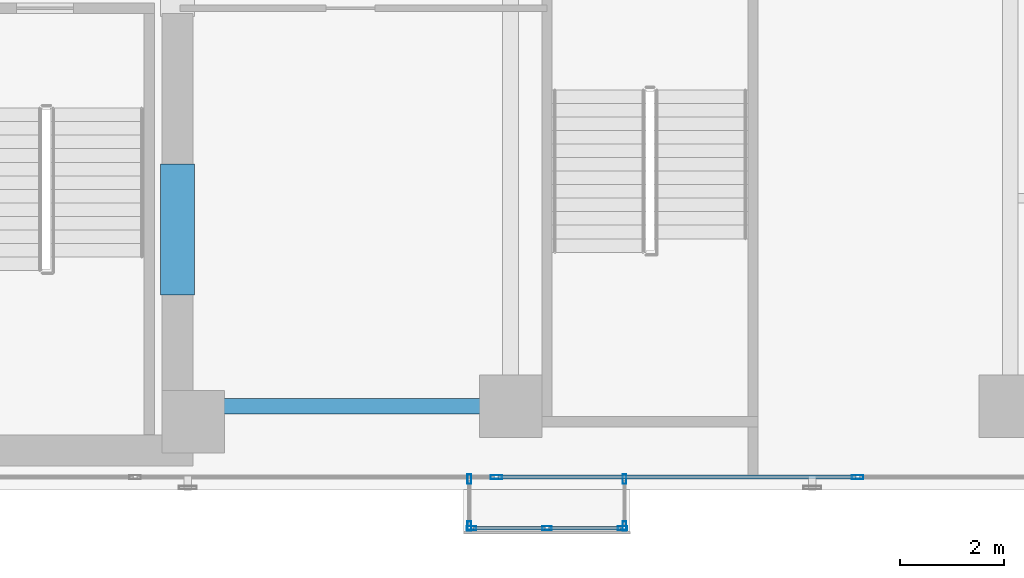
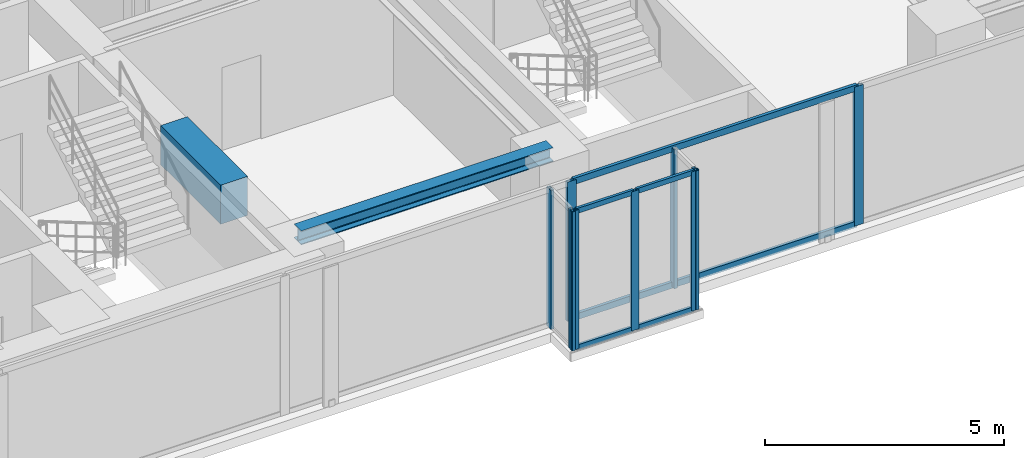
# One storey, part 4 of 24: 15 members, 2 beams, 4 elements without a shape of their own.
"""IFC4 building model written with IfcOpenShell, lengths in metres."""

from ifc_helpers import new_model, si_unit, direction, frame, origin, origin_with_axes, origin_2d, place, context, subcontext, project, spatial, rectangle, hollow_rectangle, i_section, extrude, source, transform, mapped, material, layer, layer_set, material_profile, profile_set, type_object, element, aggregate, save


model = new_model("IFC4")

# Units and contexts
model_context = context("Model", 3, precision=1e-05, world=origin(), true_north=direction((0.0, 1.0)))
body_context = subcontext(model_context, "Body", "Model", "MODEL_VIEW")
ifc_project = project(units=[si_unit("LENGTHUNIT", "METRE"), si_unit("AREAUNIT", "SQUARE_METRE"), si_unit("VOLUMEUNIT", "CUBIC_METRE"), si_unit("PLANEANGLEUNIT", "RADIAN"), si_unit("MASSUNIT", "GRAM", prefix="KILO")], contexts=[model_context])

# Site, building, storey
site_placement = place(None, origin())
site = spatial("IfcSite", under=ifc_project, at=site_placement, CompositionType="ELEMENT")
building_placement = place(site_placement, origin())
building = spatial("IfcBuilding", under=site, at=building_placement, Name="Kolvaren Waterfront Exchange", CompositionType="ELEMENT")
storey_placement = place(building_placement, frame((0.0, 0.0, 153.800048828125)))
storey = spatial("IfcBuildingStorey", under=building, at=storey_placement, Name="L39", CompositionType="ELEMENT", Elevation=153.800048828125)

# Beams
ifc_material_1 = material(Name="Steel S355", Category="steel")
ifc_material_profile_1 = material_profile(ifc_material_1, i_section(OverallWidth=0.300048828125, OverallDepth=0.360107421875, WebThickness=0.012451171875, FlangeThickness=0.0224609375, FilletRadius=0.027099609375, at=origin_2d()), Name="HEB360")
ifc_profile_set_1 = profile_set([ifc_material_profile_1], Name="Steel S355")
beam_type_1 = type_object("IfcBeamType", Name="STR-BM-HEB360", PredefinedType="SPANDREL", material=ifc_profile_set_1)
beam_1_placement = place(storey_placement, frame((21.10009765625, 5.199951171875, 3.3798828125), z_axis=(1.0, 0.0, 0.0), x_axis=(0.0, 1.0, 0.0)))
element("IfcBeam", 1, at=beam_1_placement, inside=storey, type_object=beam_type_1, Name="L39 east-arm spandrel S1", PredefinedType="SPANDREL", context=body_context, shape_type="SweptSolid", body=[
    extrude(i_section(OverallWidth=0.300048828125, OverallDepth=0.360107421875, WebThickness=0.012451171875, FlangeThickness=0.0224609375, FilletRadius=0.027099609375, at=origin_2d()), origin(), (0.0, 0.0, 1.0), 6.099853515625),
])
ifc_material_2 = material(Name="Concrete C60/75", Category="concrete")
ifc_material_profile_2 = material_profile(ifc_material_2, rectangle(XDim=0.64990234375, YDim=1.0, at=origin_2d()), Name="RC-CB-1000x650")
ifc_profile_set_2 = profile_set([ifc_material_profile_2], Name="Concrete C60/75")
beam_type_2 = type_object("IfcBeamType", Name="STR-CB-1000", PredefinedType="SPANDREL", material=ifc_profile_set_2)
beam_2_placement = place(storey_placement, frame((20.800048828125, 7.340087890625, 3.06005859375), z_axis=(0.0, 1.0, 0.0), x_axis=(-1.0, 0.0, 0.0)))
element("IfcBeam", 2, at=beam_2_placement, inside=storey, type_object=beam_type_2, Name="L39 core coupling beam 1", PredefinedType="SPANDREL", context=body_context, shape_type="SweptSolid", body=[
    extrude(rectangle(XDim=0.64990234375, YDim=1.0, at=origin_2d()), origin(), (0.0, 0.0, 1.0), 2.52001953125),
])

# Curtain wall, members
ifc_material_3 = material(Name="Anodised bronze aluminium 6063-T6", Category="aluminium")
ifc_layer_1 = layer(ifc_material_3, 0.219970703125, Name="Anodised bronze aluminium 6063-T6")
ifc_layer_set_1 = layer_set([ifc_layer_1], Name="Anodised bronze aluminium 6063-T6")
curtain_wall_type_1 = type_object("IfcCurtainWallType", Name="ARC-CW-SYS3", PredefinedType="USERDEFINED", material=ifc_layer_set_1)
curtain_wall_1_placement = place(storey_placement, origin())
curtain_wall_1 = element("IfcCurtainWall", 3, at=curtain_wall_1_placement, inside=storey, type_object=curtain_wall_type_1, Name="L39 stick curtain wall CW3 (CW-L39-BOX)", ObjectType="STICK CURTAIN WALL", PredefinedType="USERDEFINED")
ifc_material_profile_3 = material_profile(ifc_material_3, hollow_rectangle(XDim=0.06494140625, YDim=0.1298828125, WallThickness=0.00390625, at=origin_2d()), Name="ALU-TRN-130x65x4")
ifc_profile_set_3 = profile_set([ifc_material_profile_3], Name="Anodised bronze aluminium 6063-T6")
member_type_1 = type_object("IfcMemberType", Name="ARC-CWT-130", PredefinedType="USERDEFINED", material=ifc_profile_set_3)
shared_shape_1 = source(origin_with_axes(), body_context, "Body", "SweptSolid", [
    extrude(hollow_rectangle(XDim=0.06494140625, YDim=0.1298828125, WallThickness=0.00390625, at=origin_2d()), origin(), (0.0, 0.0, 1.0), 1.37744140625),
])
member_1_placement = place(storey_placement, frame((26.485107421875, 2.860107421875, 0.032470703125), z_axis=(1.0, 0.0, 0.0), x_axis=(0.0, 1.0, 0.0)))
member_1 = element("IfcMember", 4, at=member_1_placement, type_object=member_type_1, Name="CW3 transom 1.1", ObjectType="TRANSOM", PredefinedType="USERDEFINED", context=body_context, shape_type="MappedRepresentation", body=[
    mapped(shared_shape_1, transform((0.0, 0.0, 0.0), x_axis=(1.0, 0.0, 0.0), y_axis=(0.0, 1.0, 0.0), z_axis=(0.0, 0.0, 1.0), scale=1.0)),
])
member_2_placement = place(storey_placement, frame((26.485107421875, 2.860107421875, 3.52734375), z_axis=(1.0, 0.0, 0.0), x_axis=(0.0, 1.0, 0.0)))
member_2 = element("IfcMember", 5, at=member_2_placement, type_object=member_type_1, Name="CW3 transom 1.2", ObjectType="TRANSOM", PredefinedType="USERDEFINED", context=body_context, shape_type="MappedRepresentation", body=[
    mapped(shared_shape_1, transform((0.0, 0.0, 0.0), x_axis=(1.0, 0.0, 0.0), y_axis=(0.0, 1.0, 0.0), z_axis=(0.0, 0.0, 1.0), scale=1.0)),
])
member_3_placement = place(storey_placement, frame((27.9375, 2.860107421875, 0.032470703125), z_axis=(1.0, 0.0, 0.0), x_axis=(0.0, 1.0, 0.0)))
member_3 = element("IfcMember", 6, at=member_3_placement, type_object=member_type_1, Name="CW3 transom 2.1", ObjectType="TRANSOM", PredefinedType="USERDEFINED", context=body_context, shape_type="MappedRepresentation", body=[
    mapped(shared_shape_1, transform((0.0, 0.0, 0.0), x_axis=(1.0, 0.0, 0.0), y_axis=(0.0, 1.0, 0.0), z_axis=(0.0, 0.0, 1.0), scale=1.0)),
])
member_4_placement = place(storey_placement, frame((27.9375, 2.860107421875, 3.52734375), z_axis=(1.0, 0.0, 0.0), x_axis=(0.0, 1.0, 0.0)))
member_4 = element("IfcMember", 7, at=member_4_placement, type_object=member_type_1, Name="CW3 transom 2.2", ObjectType="TRANSOM", PredefinedType="USERDEFINED", context=body_context, shape_type="MappedRepresentation", body=[
    mapped(shared_shape_1, transform((0.0, 0.0, 0.0), x_axis=(1.0, 0.0, 0.0), y_axis=(0.0, 1.0, 0.0), z_axis=(0.0, 0.0, 1.0), scale=1.0)),
])

curtain_wall_2_placement = place(storey_placement, origin())
curtain_wall_2 = element("IfcCurtainWall", 8, at=curtain_wall_2_placement, inside=storey, type_object=curtain_wall_type_1, Name="L39 stick curtain wall CW3 (CW-L39-BOX-W)", ObjectType="STICK CURTAIN WALL", PredefinedType="USERDEFINED")
ifc_material_profile_4 = material_profile(ifc_material_3, hollow_rectangle(XDim=0.074951171875, YDim=0.179931640625, WallThickness=0.00439453125, at=origin_2d()), Name="ALU-MUL-180x75x4.5")
ifc_profile_set_4 = profile_set([ifc_material_profile_4], Name="Anodised bronze aluminium 6063-T6")
member_type_2 = type_object("IfcMemberType", Name="ARC-CWM-180", PredefinedType="MULLION", material=ifc_profile_set_4)
shared_shape_2 = source(origin_with_axes(), body_context, "Body", "SweptSolid", [
    extrude(hollow_rectangle(XDim=0.074951171875, YDim=0.179931640625, WallThickness=0.00439453125, at=origin_2d()), origin(), (0.0, 0.0, 1.0), 3.56005859375),
])
member_5_placement = place(storey_placement, frame((26.409912109375, 3.802490234375, 0.0), z_axis=(0.0, 0.0, 1.0), x_axis=(1.0, 0.0, 0.0)))
member_5 = element("IfcMember", 9, at=member_5_placement, type_object=member_type_2, Name="CW3 mullion 1", PredefinedType="MULLION", context=body_context, shape_type="MappedRepresentation", body=[
    mapped(shared_shape_2, transform((0.0, 0.0, 0.0), x_axis=(1.0, 0.0, 0.0), y_axis=(0.0, 1.0, 0.0), z_axis=(0.0, 0.0, 1.0), scale=1.0)),
])
member_6_placement = place(storey_placement, frame((26.409912109375, 2.8974609375, 0.0), z_axis=(0.0, 0.0, 1.0), x_axis=(1.0, 0.0, 0.0)))
member_6 = element("IfcMember", 10, at=member_6_placement, type_object=member_type_2, Name="CW3 mullion 2", PredefinedType="MULLION", context=body_context, shape_type="MappedRepresentation", body=[
    mapped(shared_shape_2, transform((0.0, 0.0, 0.0), x_axis=(1.0, 0.0, 0.0), y_axis=(0.0, 1.0, 0.0), z_axis=(0.0, 0.0, 1.0), scale=1.0)),
])
aggregate(curtain_wall_2, [member_5, member_6])

# Member
member_7_placement = place(storey_placement, frame((26.447509765625, 2.860107421875, 0.0), z_axis=(0.0, 0.0, 1.0), x_axis=(0.0, 1.0, 0.0)))
member_7 = element("IfcMember", 11, at=member_7_placement, type_object=member_type_2, Name="CW3 mullion 1", PredefinedType="MULLION", context=body_context, shape_type="MappedRepresentation", body=[
    mapped(shared_shape_2, transform((0.0, 0.0, 0.0), x_axis=(1.0, 0.0, 0.0), y_axis=(0.0, 1.0, 0.0), z_axis=(0.0, 0.0, 1.0), scale=1.0)),
])

member_8_placement = place(storey_placement, frame((27.89990234375, 2.860107421875, 0.0), z_axis=(0.0, 0.0, 1.0), x_axis=(0.0, 1.0, 0.0)))
member_8 = element("IfcMember", 12, at=member_8_placement, type_object=member_type_2, Name="CW3 mullion 2", PredefinedType="MULLION", context=body_context, shape_type="MappedRepresentation", body=[
    mapped(shared_shape_2, transform((0.0, 0.0, 0.0), x_axis=(1.0, 0.0, 0.0), y_axis=(0.0, 1.0, 0.0), z_axis=(0.0, 0.0, 1.0), scale=1.0)),
])

member_9_placement = place(storey_placement, frame((29.3525390625, 2.860107421875, 0.0), z_axis=(0.0, 0.0, 1.0), x_axis=(0.0, 1.0, 0.0)))
member_9 = element("IfcMember", 13, at=member_9_placement, type_object=member_type_2, Name="CW3 mullion 3", PredefinedType="MULLION", context=body_context, shape_type="MappedRepresentation", body=[
    mapped(shared_shape_2, transform((0.0, 0.0, 0.0), x_axis=(1.0, 0.0, 0.0), y_axis=(0.0, 1.0, 0.0), z_axis=(0.0, 0.0, 1.0), scale=1.0)),
])

aggregate(curtain_wall_1, [member_7, member_8, member_9, member_1, member_2, member_3, member_4])

# Curtain wall, members
curtain_wall_3_placement = place(storey_placement, origin())
curtain_wall_3 = element("IfcCurtainWall", 14, at=curtain_wall_3_placement, inside=storey, type_object=curtain_wall_type_1, Name="L39 stick curtain wall CW3 (CW-L39-BOX-E)", ObjectType="STICK CURTAIN WALL", PredefinedType="USERDEFINED")
member_10_placement = place(storey_placement, frame((29.389892578125, 2.8974609375, 0.0), z_axis=(0.0, 0.0, 1.0), x_axis=(-1.0, 0.0, 0.0)))
member_10 = element("IfcMember", 15, at=member_10_placement, type_object=member_type_2, Name="CW3 mullion 1", PredefinedType="MULLION", context=body_context, shape_type="MappedRepresentation", body=[
    mapped(shared_shape_2, transform((0.0, 0.0, 0.0), x_axis=(1.0, 0.0, 0.0), y_axis=(0.0, 1.0, 0.0), z_axis=(0.0, 0.0, 1.0), scale=1.0)),
])
member_11_placement = place(storey_placement, frame((29.389892578125, 3.802490234375, 0.0), z_axis=(0.0, 0.0, 1.0), x_axis=(-1.0, 0.0, 0.0)))
member_11 = element("IfcMember", 16, at=member_11_placement, type_object=member_type_2, Name="CW3 mullion 2", PredefinedType="MULLION", context=body_context, shape_type="MappedRepresentation", body=[
    mapped(shared_shape_2, transform((0.0, 0.0, 0.0), x_axis=(1.0, 0.0, 0.0), y_axis=(0.0, 1.0, 0.0), z_axis=(0.0, 0.0, 1.0), scale=1.0)),
])
aggregate(curtain_wall_3, [member_10, member_11])

ifc_layer_2 = layer(ifc_material_3, 0.219970703125, Name="Anodised bronze aluminium 6063-T6")
ifc_layer_set_2 = layer_set([ifc_layer_2], Name="Anodised bronze aluminium 6063-T6")
curtain_wall_type_2 = type_object("IfcCurtainWallType", Name="ARC-CW-SYS1", PredefinedType="USERDEFINED", material=ifc_layer_set_2)
curtain_wall_4_placement = place(storey_placement, origin())
curtain_wall_4 = element("IfcCurtainWall", 17, at=curtain_wall_4_placement, inside=storey, type_object=curtain_wall_type_2, Name="L39 stick curtain wall CW1 (CW-L39-S)", ObjectType="STICK CURTAIN WALL", PredefinedType="USERDEFINED")
ifc_material_4 = material(Name="Anodised aluminium 6063-T6", Category="aluminium")
ifc_material_profile_5 = material_profile(ifc_material_4, hollow_rectangle(XDim=0.080078125, YDim=0.219970703125, WallThickness=0.0048828125, at=origin_2d()), Name="ALU-MUL-220x80x5")
ifc_profile_set_5 = profile_set([ifc_material_profile_5], Name="Anodised aluminium 6063-T6")
member_type_3 = type_object("IfcMemberType", Name="ARC-CWM-220", PredefinedType="MULLION", material=ifc_profile_set_5)
shared_shape_3 = source(origin_with_axes(), body_context, "Body", "SweptSolid", [
    extrude(hollow_rectangle(XDim=0.080078125, YDim=0.219970703125, WallThickness=0.0048828125, at=origin_2d()), origin(), (0.0, 0.0, 1.0), 3.56005859375),
])
member_12_placement = place(storey_placement, frame((26.928466796875, 3.840087890625, 0.0), z_axis=(0.0, 0.0, 1.0), x_axis=(0.0, 1.0, 0.0)))
member_12 = element("IfcMember", 18, at=member_12_placement, type_object=member_type_3, Name="CW1 mullion 4", PredefinedType="MULLION", context=body_context, shape_type="MappedRepresentation", body=[
    mapped(shared_shape_3, transform((0.0, 0.0, 0.0), x_axis=(1.0, 0.0, 0.0), y_axis=(0.0, 1.0, 0.0), z_axis=(0.0, 0.0, 1.0), scale=1.0)),
])
member_13_placement = place(storey_placement, frame((33.871337890625, 3.840087890625, 0.0), z_axis=(0.0, 0.0, 1.0), x_axis=(0.0, 1.0, 0.0)))
member_13 = element("IfcMember", 19, at=member_13_placement, type_object=member_type_3, Name="CW1 mullion 5", PredefinedType="MULLION", context=body_context, shape_type="MappedRepresentation", body=[
    mapped(shared_shape_3, transform((0.0, 0.0, 0.0), x_axis=(1.0, 0.0, 0.0), y_axis=(0.0, 1.0, 0.0), z_axis=(0.0, 0.0, 1.0), scale=1.0)),
])
ifc_material_profile_6 = material_profile(ifc_material_4, hollow_rectangle(XDim=0.074951171875, YDim=0.159912109375, WallThickness=0.00439453125, at=origin_2d()), Name="ALU-TRN-160x75x4.5")
ifc_profile_set_6 = profile_set([ifc_material_profile_6], Name="Anodised aluminium 6063-T6")
member_type_4 = type_object("IfcMemberType", Name="ARC-CWT-160", PredefinedType="USERDEFINED", material=ifc_profile_set_6)
shared_shape_4 = source(origin_with_axes(), body_context, "Body", "SweptSolid", [
    extrude(hollow_rectangle(XDim=0.074951171875, YDim=0.159912109375, WallThickness=0.00439453125, at=origin_2d()), origin(), (0.0, 0.0, 1.0), 6.863037109375),
])
member_14_placement = place(storey_placement, frame((26.968505859375, 3.840087890625, 0.037353515625), z_axis=(1.0, 0.0, 0.0), x_axis=(0.0, 1.0, 0.0)))
member_14 = element("IfcMember", 20, at=member_14_placement, type_object=member_type_4, Name="CW1 transom 4.1", ObjectType="TRANSOM", PredefinedType="USERDEFINED", context=body_context, shape_type="MappedRepresentation", body=[
    mapped(shared_shape_4, transform((0.0, 0.0, 0.0), x_axis=(1.0, 0.0, 0.0), y_axis=(0.0, 1.0, 0.0), z_axis=(0.0, 0.0, 1.0), scale=1.0)),
])
member_15_placement = place(storey_placement, frame((26.968505859375, 3.840087890625, 3.5224609375), z_axis=(1.0, 0.0, 0.0), x_axis=(0.0, 1.0, 0.0)))
member_15 = element("IfcMember", 21, at=member_15_placement, type_object=member_type_4, Name="CW1 transom 4.2", ObjectType="TRANSOM", PredefinedType="USERDEFINED", context=body_context, shape_type="MappedRepresentation", body=[
    mapped(shared_shape_4, transform((0.0, 0.0, 0.0), x_axis=(1.0, 0.0, 0.0), y_axis=(0.0, 1.0, 0.0), z_axis=(0.0, 0.0, 1.0), scale=1.0)),
])
aggregate(curtain_wall_4, [member_12, member_13, member_14, member_15])

save(model, "model.ifc")
